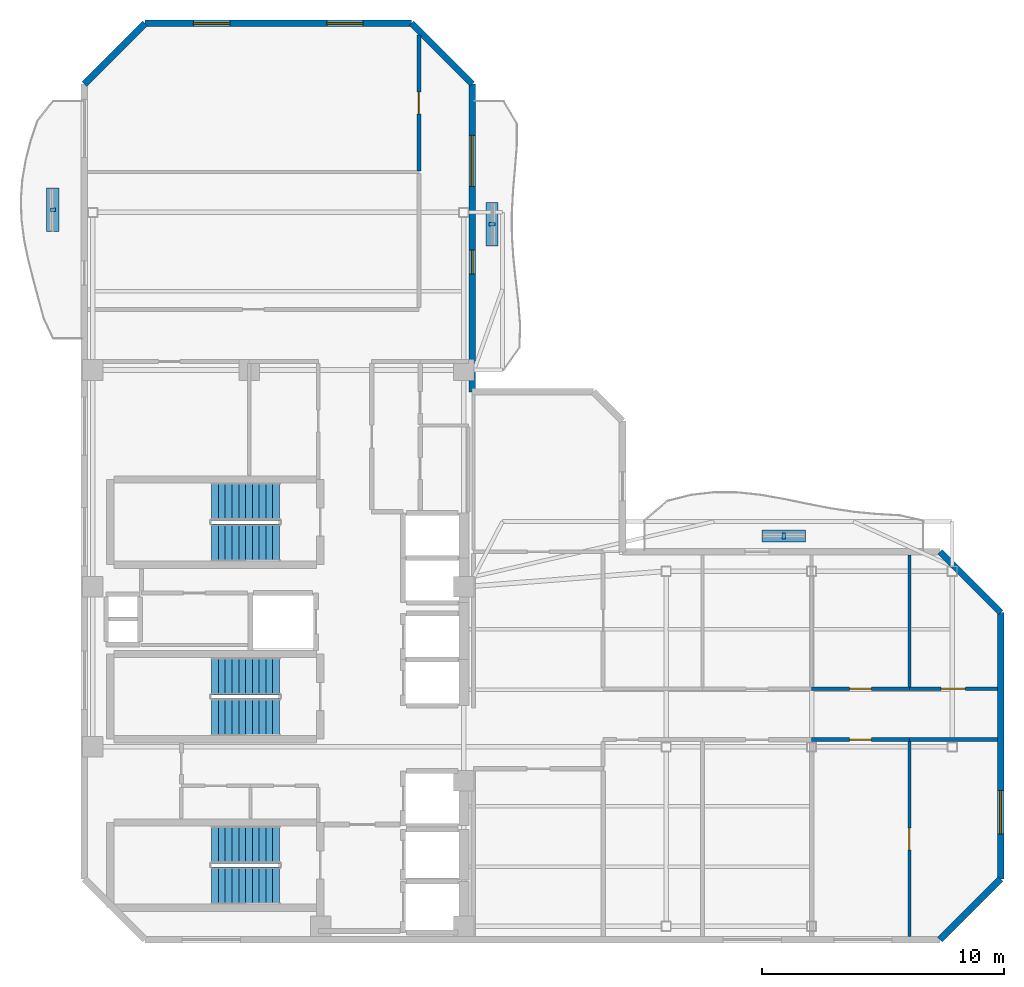
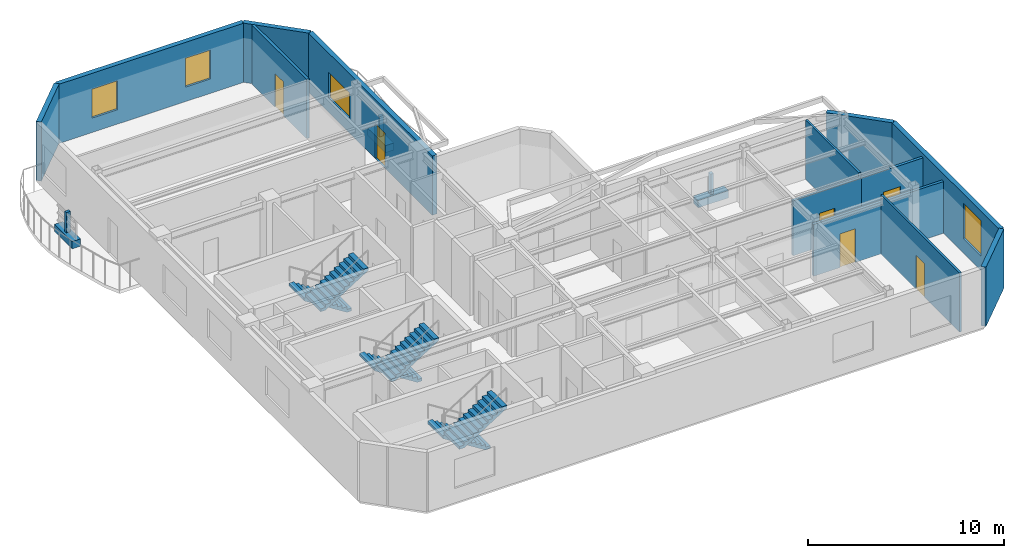
# One storey, part 5 of 7: 14 walls, 6 discrete accessories, 6 doors, 6 stair flights, 4 windows, 10 openings, 3 elements without a shape of their own.
"""IFC4 building model written with IfcOpenShell, lengths in metres."""

from ifc_helpers import new_model, si_unit, direction, frame, frame_2d, origin, origin_2d, place, context, subcontext, project, spatial, polyline, rectangle, outline, extrude, material, layer, layer_set, type_object, element, fill, aggregate, save


model = new_model("IFC4")

# Units and contexts
model_context = context("Model", 3, precision=1e-05, world=origin(), true_north=direction((0.0, 1.0)))
body_context = subcontext(model_context, "Body", "Model", "MODEL_VIEW")
ifc_project = project(units=[si_unit("LENGTHUNIT", "METRE"), si_unit("AREAUNIT", "SQUARE_METRE"), si_unit("VOLUMEUNIT", "CUBIC_METRE"), si_unit("PLANEANGLEUNIT", "RADIAN"), si_unit("MASSUNIT", "GRAM", prefix="KILO")], contexts=[model_context])

# Site, building, storey
site_placement = place(None, origin())
site = spatial("IfcSite", under=ifc_project, at=site_placement, CompositionType="ELEMENT")
building_placement = place(site_placement, origin())
building = spatial("IfcBuilding", under=site, at=building_placement, Name="Mawjaban Terraces University", CompositionType="ELEMENT")
storey_placement = place(building_placement, frame((0.0, 0.0, 275.5)))
storey = spatial("IfcBuildingStorey", under=building, at=storey_placement, Name="L67", CompositionType="ELEMENT", Elevation=275.5)

# Wall, opening, door
ifc_material_1 = material(Name="Fire-rated gypsum board on steel stud", Category="steel")
ifc_layer_1 = layer(ifc_material_1, 0.159912109375)
ifc_layer_set_1 = layer_set([ifc_layer_1], Name="Fire-rated gypsum board on steel stud")
wall_type_1 = type_object("IfcWallType", Name="CorridorPartition_160", PredefinedType="PARTITIONING", material=ifc_layer_set_1)
wall_1_placement = place(storey_placement, frame((52.0, 8.25, 0.0), z_axis=(0.0, 0.0, 1.0), x_axis=(1.0, 0.0, 0.0)))
wall_1 = element("IfcWall", 1, at=wall_1_placement, inside=storey, type_object=wall_type_1, Name="L67 Upper East Research Corridor Partition 20", PredefinedType="PARTITIONING", context=body_context, shape_type="SweptSolid", body=[
    extrude(rectangle(XDim=4.030029296875, YDim=0.159912109375, at=frame_2d((2.01513671875, 0.0))), origin(), (0.0, 0.0, 1.0), 3.22705078125),
])
opening_1_placement = place(wall_1_placement, frame((1.56494140625, 0.0, 0.0)))
opening_1 = element("IfcOpeningElement", 2, at=opening_1_placement, cuts=wall_1, Name="Opening ID-090", PredefinedType="OPENING", context=body_context, shape_type="SweptSolid", body=[
    extrude(rectangle(XDim=0.89990234375, YDim=2.10009765625, at=frame_2d((0.449951171875, 1.050048828125))), frame((0.0, 0.08984375, 0.0), z_axis=(0.0, -1.0, 0.0), x_axis=(1.0, 0.0, 0.0)), (0.0, 0.0, 1.0), 0.179931640625),
])
ifc_material_2 = material(Name="Powder-coated steel frame and solid acoustic timber leaf", Category="steel")
door_type_1 = type_object("IfcDoorType", Name="OfficeDoor_900x2100", OperationType="NOTDEFINED", PredefinedType="DOOR", material=ifc_material_2)
door_1_placement = place(opening_1_placement, origin())
door_1 = element("IfcDoor", 3, at=door_1_placement, inside=storey, type_object=door_type_1, Name="L67 Reading Salon 6 Door", OperationType="SINGLE_SWING_LEFT", OverallHeight=2.10009765625, OverallWidth=0.89990234375, PredefinedType="DOOR", context=body_context, shape_type="SweptSolid", body=[
    extrude(rectangle(XDim=0.89990234375, YDim=2.10009765625, at=frame_2d((0.449951171875, 1.050048828125))), frame((0.0, 0.02490234375, 0.0), z_axis=(0.0, -1.0, 0.0), x_axis=(1.0, 0.0, 0.0)), (0.0, 0.0, 1.0), 0.050048828125),
])
fill(opening_1, door_1)

# Wall
wall_2_placement = place(storey_placement, frame((56.030029296875, 8.25, 0.0), z_axis=(0.0, 0.0, 1.0), x_axis=(1.0, 0.0, 0.0)))
element("IfcWall", 4, at=wall_2_placement, inside=storey, type_object=wall_type_1, Name="L67 Upper East Research Corridor Partition 22", PredefinedType="PARTITIONING", context=body_context, shape_type="SweptSolid", body=[
    extrude(rectangle(XDim=3.636962890625, YDim=0.159912109375, at=frame_2d((1.818359375, 0.0))), origin(), (0.0, 0.0, 1.0), 3.22705078125),
])

# Wall, opening, door
wall_3_placement = place(storey_placement, frame((56.030029296875, 10.35009765625, 0.0), z_axis=(0.0, 0.0, 1.0), x_axis=(-1.0, 0.0, 0.0)))
wall_3 = element("IfcWall", 5, at=wall_3_placement, inside=storey, type_object=wall_type_1, Name="L67 Upper East Research Corridor Partition 23", PredefinedType="PARTITIONING", context=body_context, shape_type="SweptSolid", body=[
    extrude(rectangle(XDim=4.030029296875, YDim=0.159912109375, at=frame_2d((2.01513671875, 0.0))), origin(), (0.0, 0.0, 1.0), 3.424072265625),
])
opening_2_placement = place(wall_3_placement, frame((1.56494140625, 0.0, 0.0)))
opening_2 = element("IfcOpeningElement", 6, at=opening_2_placement, cuts=wall_3, Name="Opening ID-090", PredefinedType="OPENING", context=body_context, shape_type="SweptSolid", body=[
    extrude(rectangle(XDim=0.89990234375, YDim=2.10009765625, at=frame_2d((0.449951171875, 1.050048828125))), frame((0.0, 0.08984375, 0.0), z_axis=(0.0, -1.0, 0.0), x_axis=(1.0, 0.0, 0.0)), (0.0, 0.0, 1.0), 0.179931640625),
])
door_2_placement = place(opening_2_placement, origin())
door_2 = element("IfcDoor", 7, at=door_2_placement, inside=storey, type_object=door_type_1, Name="L67 Academic Counseling Room 7 Door", OperationType="SINGLE_SWING_RIGHT", OverallHeight=2.10009765625, OverallWidth=0.89990234375, PredefinedType="DOOR", context=body_context, shape_type="SweptSolid", body=[
    extrude(rectangle(XDim=0.89990234375, YDim=2.10009765625, at=frame_2d((0.449951171875, 1.050048828125))), frame((0.0, 0.02490234375, 0.0), z_axis=(0.0, -1.0, 0.0), x_axis=(1.0, 0.0, 0.0)), (0.0, 0.0, 1.0), 0.050048828125),
])
fill(opening_2, door_2)

wall_4_placement = place(storey_placement, frame((59.6669921875, 10.35009765625, 0.0), z_axis=(0.0, 0.0, 1.0), x_axis=(-1.0, 0.0, 0.0)))
wall_4 = element("IfcWall", 8, at=wall_4_placement, inside=storey, type_object=wall_type_1, Name="L67 Upper East Research Corridor Partition 24", PredefinedType="PARTITIONING", context=body_context, shape_type="SweptSolid", body=[
    extrude(rectangle(XDim=3.636962890625, YDim=0.159912109375, at=frame_2d((1.818359375, 0.0))), origin(), (0.0, 0.0, 1.0), 3.424072265625),
])
opening_3_placement = place(wall_4_placement, frame((1.319091796875, 0.0, 0.0)))
opening_3 = element("IfcOpeningElement", 9, at=opening_3_placement, cuts=wall_4, Name="Opening ID-100", PredefinedType="OPENING", context=body_context, shape_type="SweptSolid", body=[
    extrude(rectangle(XDim=1.0, YDim=2.10009765625, at=frame_2d((0.5, 1.050048828125))), frame((0.0, 0.08984375, 0.0), z_axis=(0.0, -1.0, 0.0), x_axis=(1.0, 0.0, 0.0)), (0.0, 0.0, 1.0), 0.179931640625),
])
door_type_2 = type_object("IfcDoorType", Name="ClassroomDoor_1000x2100", OperationType="NOTDEFINED", PredefinedType="DOOR", material=ifc_material_2)
door_3_placement = place(opening_3_placement, origin())
door_3 = element("IfcDoor", 10, at=door_3_placement, inside=storey, type_object=door_type_2, Name="L67 Classroom 9 Door", OperationType="SINGLE_SWING_RIGHT", OverallHeight=2.10009765625, OverallWidth=1.0, PredefinedType="DOOR", context=body_context, shape_type="SweptSolid", body=[
    extrude(rectangle(XDim=1.0, YDim=2.10009765625, at=frame_2d((0.5, 1.050048828125))), frame((0.0, 0.02490234375, 0.0), z_axis=(0.0, -1.0, 0.0), x_axis=(1.0, 0.0, 0.0)), (0.0, 0.0, 1.0), 0.050048828125),
])
fill(opening_3, door_3)

wall_5_placement = place(storey_placement, frame((35.800048828125, 37.31298828125, 0.0), z_axis=(0.0, 0.0, 1.0), x_axis=(0.0, -1.0, 0.0)))
wall_5 = element("IfcWall", 11, at=wall_5_placement, inside=storey, type_object=wall_type_1, Name="L67 Upper North Research Gallery Partition 34", PredefinedType="PARTITIONING", context=body_context, shape_type="SweptSolid", body=[
    extrude(rectangle(XDim=5.594970703125, YDim=0.159912109375, at=frame_2d((2.79736328125, 0.0))), origin(), (0.0, 0.0, 1.0), 3.68994140625),
])
opening_4_placement = place(wall_5_placement, frame((2.347900390625, 0.0, 0.0)))
opening_4 = element("IfcOpeningElement", 12, at=opening_4_placement, cuts=wall_5, Name="Opening ID-090", PredefinedType="OPENING", context=body_context, shape_type="SweptSolid", body=[
    extrude(rectangle(XDim=0.89990234375, YDim=2.10009765625, at=frame_2d((0.449951171875, 1.050048828125))), frame((0.0, 0.08984375, 0.0), z_axis=(0.0, -1.0, 0.0), x_axis=(1.0, 0.0, 0.0)), (0.0, 0.0, 1.0), 0.179931640625),
])
door_4_placement = place(opening_4_placement, origin())
door_4 = element("IfcDoor", 13, at=door_4_placement, inside=storey, type_object=door_type_1, Name="L67 Faculty Office 11 Door", OperationType="SINGLE_SWING_RIGHT", OverallHeight=2.10009765625, OverallWidth=0.89990234375, PredefinedType="DOOR", context=body_context, shape_type="SweptSolid", body=[
    extrude(rectangle(XDim=0.89990234375, YDim=2.10009765625, at=frame_2d((0.449951171875, 1.050048828125))), frame((0.0, 0.02490234375, 0.0), z_axis=(0.0, -1.0, 0.0), x_axis=(1.0, 0.0, 0.0)), (0.0, 0.0, 1.0), 0.050048828125),
])
fill(opening_4, door_4)

# Wall
ifc_material_3 = material(Name="Insulated terracotta rainscreen on concrete backup C40/50", Category="masonry")
ifc_layer_2 = layer(ifc_material_3, 0.27490234375)
ifc_layer_set_2 = layer_set([ifc_layer_2], Name="Insulated terracotta rainscreen on concrete backup C40/50")
wall_type_2 = type_object("IfcWallType", Name="ExtTerracottaWall_275", PredefinedType="SOLIDWALL", material=ifc_layer_set_2)
wall_6_placement = place(storey_placement, frame((57.300048828125, 0.0, 0.0), z_axis=(0.0, 0.0, 1.0), x_axis=(0.707106781187, 0.707106781187, 0.0)))
element("IfcWall", 14, at=wall_6_placement, inside=storey, type_object=wall_type_2, Name="L67 Exterior Terracotta Wall 2", PredefinedType="SOLIDWALL", context=body_context, shape_type="SweptSolid", body=[
    extrude(rectangle(XDim=3.53564453125, YDim=0.27490234375, at=frame_2d((1.767822265625, 0.0))), origin(), (0.0, 0.0, 1.0), 3.68994140625),
])

# Wall, opening, window
wall_7_placement = place(storey_placement, frame((59.800048828125, 2.5, 0.0), z_axis=(0.0, 0.0, 1.0), x_axis=(0.0, 1.0, 0.0)))
wall_7 = element("IfcWall", 15, at=wall_7_placement, inside=storey, type_object=wall_type_2, Name="L67 Exterior Terracotta Wall 3", PredefinedType="SOLIDWALL", context=body_context, shape_type="SweptSolid", body=[
    extrude(rectangle(XDim=11.0, YDim=0.27490234375, at=frame_2d((5.5, 0.0))), origin(), (0.0, 0.0, 1.0), 3.68994140625),
])
opening_5_placement = place(wall_7_placement, frame((1.85009765625, 0.0, 0.89990234375)))
opening_5 = element("IfcOpeningElement", 16, at=opening_5_placement, cuts=wall_7, Name="Opening W-10", PredefinedType="OPENING", context=body_context, shape_type="SweptSolid", body=[
    extrude(rectangle(XDim=1.800048828125, YDim=2.199951171875, at=frame_2d((0.89990234375, 1.10009765625))), frame((0.0, 0.1474609375, 0.0), z_axis=(0.0, -1.0, 0.0), x_axis=(1.0, 0.0, 0.0)), (0.0, 0.0, 1.0), 0.294921875),
])
ifc_material_4 = material(Name="Low-E solar-control double glazing in thermally broken aluminium frame", Category="aluminium")
window_type_1 = type_object("IfcWindowType", Name="Win_1800x2200", PartitioningType="SINGLE_PANEL", PredefinedType="WINDOW", material=ifc_material_4)
window_1_placement = place(opening_5_placement, origin())
window_1 = element("IfcWindow", 17, at=window_1_placement, inside=storey, type_object=window_type_1, Name="L67 Facade Window 3.1", OverallHeight=2.199951171875, OverallWidth=1.800048828125, PartitioningType="SINGLE_PANEL", PredefinedType="WINDOW", context=body_context, shape_type="SweptSolid", body=[
    extrude(rectangle(XDim=1.800048828125, YDim=2.199951171875, at=frame_2d((0.89990234375, 1.10009765625))), frame((0.0, 0.030029296875, 0.0), z_axis=(0.0, -1.0, 0.0), x_axis=(1.0, 0.0, 0.0)), (0.0, 0.0, 1.0), 0.06005859375),
])
fill(opening_5, window_1)

# Wall
wall_8_placement = place(storey_placement, frame((59.800048828125, 13.5, 0.0), z_axis=(0.0, 0.0, 1.0), x_axis=(-0.707106781187, 0.707106781187, 0.0)))
element("IfcWall", 18, at=wall_8_placement, inside=storey, type_object=wall_type_2, Name="L67 Exterior Terracotta Wall 4", PredefinedType="SOLIDWALL", context=body_context, shape_type="SweptSolid", body=[
    extrude(rectangle(XDim=3.53564453125, YDim=0.27490234375, at=frame_2d((1.767822265625, 0.0))), origin(), (0.0, 0.0, 1.0), 3.68994140625),
])

# Wall, openings, door, window
wall_9_placement = place(storey_placement, frame((38.0, 22.60009765625, 0.0), z_axis=(0.0, 0.0, 1.0), x_axis=(0.0, 1.0, 0.0)))
wall_9 = element("IfcWall", 19, at=wall_9_placement, inside=storey, type_object=wall_type_2, Name="L67 Exterior Terracotta Wall 9", PredefinedType="SOLIDWALL", context=body_context, shape_type="SweptSolid", body=[
    extrude(rectangle(XDim=12.699951171875, YDim=0.27490234375, at=frame_2d((6.35009765625, 0.0))), origin(), (0.0, 0.0, 1.0), 3.68994140625),
])
opening_6_placement = place(wall_9_placement, frame((4.85009765625, 0.0, 0.0)))
opening_6 = element("IfcOpeningElement", 20, at=opening_6_placement, cuts=wall_9, Name="Opening BD-100", PredefinedType="OPENING", context=body_context, shape_type="SweptSolid", body=[
    extrude(rectangle(XDim=1.0, YDim=2.199951171875, at=frame_2d((0.5, 1.10009765625))), frame((0.0, 0.1474609375, 0.0), z_axis=(0.0, -1.0, 0.0), x_axis=(1.0, 0.0, 0.0)), (0.0, 0.0, 1.0), 0.294921875),
])
opening_7_placement = place(wall_9_placement, frame((8.47509765625, 0.0, 0.89990234375)))
opening_7 = element("IfcOpeningElement", 21, at=opening_7_placement, cuts=wall_9, Name="Opening W-04", PredefinedType="OPENING", context=body_context, shape_type="SweptSolid", body=[
    extrude(rectangle(XDim=2.10009765625, YDim=1.60009765625, at=frame_2d((1.050048828125, 0.800048828125))), frame((0.0, 0.1474609375, 0.0), z_axis=(0.0, -1.0, 0.0), x_axis=(1.0, 0.0, 0.0)), (0.0, 0.0, 1.0), 0.294921875),
])
ifc_material_5 = material(Name="Thermally broken anodised aluminium and laminated safety glass", Category="aluminium")
door_type_3 = type_object("IfcDoorType", Name="BalconyGlazedDoor_1000x2200", OperationType="NOTDEFINED", PredefinedType="DOOR", material=ifc_material_5)
door_5_placement = place(opening_6_placement, origin())
door_5 = element("IfcDoor", 22, at=door_5_placement, inside=storey, type_object=door_type_3, Name="L67 Balcony Access Door inner_east", OperationType="SINGLE_SWING_RIGHT", OverallHeight=2.199951171875, OverallWidth=1.0, PredefinedType="DOOR", context=body_context, shape_type="SweptSolid", body=[
    extrude(rectangle(XDim=1.0, YDim=2.199951171875, at=frame_2d((0.5, 1.10009765625))), frame((0.0, 0.02490234375, 0.0), z_axis=(0.0, -1.0, 0.0), x_axis=(1.0, 0.0, 0.0)), (0.0, 0.0, 1.0), 0.050048828125),
])
fill(opening_6, door_5)
window_type_2 = type_object("IfcWindowType", Name="Win_2100x1600", PartitioningType="SINGLE_PANEL", PredefinedType="WINDOW", material=ifc_material_4)
window_2_placement = place(opening_7_placement, origin())
window_2 = element("IfcWindow", 23, at=window_2_placement, inside=storey, type_object=window_type_2, Name="L67 Facade Window 9.2", OverallHeight=1.60009765625, OverallWidth=2.10009765625, PartitioningType="SINGLE_PANEL", PredefinedType="WINDOW", context=body_context, shape_type="SweptSolid", body=[
    extrude(rectangle(XDim=2.10009765625, YDim=1.60009765625, at=frame_2d((1.050048828125, 0.800048828125))), frame((0.0, 0.030029296875, 0.0), z_axis=(0.0, -1.0, 0.0), x_axis=(1.0, 0.0, 0.0)), (0.0, 0.0, 1.0), 0.06005859375),
])
fill(opening_7, window_2)

# Wall
wall_10_placement = place(storey_placement, frame((38.0, 35.300048828125, 0.0), z_axis=(0.0, 0.0, 1.0), x_axis=(-0.707106781187, 0.707106781187, 0.0)))
element("IfcWall", 24, at=wall_10_placement, inside=storey, type_object=wall_type_2, Name="L67 Exterior Terracotta Wall 10", PredefinedType="SOLIDWALL", context=body_context, shape_type="SweptSolid", body=[
    extrude(rectangle(XDim=3.53564453125, YDim=0.27490234375, at=frame_2d((1.767822265625, 0.0))), origin(), (0.0, 0.0, 1.0), 3.68994140625),
])

# Wall, openings, windows
wall_11_placement = place(storey_placement, frame((35.5, 37.800048828125, 0.0), z_axis=(0.0, 0.0, 1.0), x_axis=(-1.0, 0.0, 0.0)))
wall_11 = element("IfcWall", 25, at=wall_11_placement, inside=storey, type_object=wall_type_2, Name="L67 Exterior Terracotta Wall 11", PredefinedType="SOLIDWALL", context=body_context, shape_type="SweptSolid", body=[
    extrude(rectangle(XDim=11.0, YDim=0.27490234375, at=frame_2d((5.5, 0.0))), origin(), (0.0, 0.0, 1.0), 3.68994140625),
])
opening_8_placement = place(wall_11_placement, frame((2.0, 0.0, 0.89990234375)))
opening_8 = element("IfcOpeningElement", 26, at=opening_8_placement, cuts=wall_11, Name="Opening W-06", PredefinedType="OPENING", context=body_context, shape_type="SweptSolid", body=[
    extrude(rectangle(XDim=1.5, YDim=1.800048828125, at=frame_2d((0.75, 0.89990234375))), frame((0.0, 0.1474609375, 0.0), z_axis=(0.0, -1.0, 0.0), x_axis=(1.0, 0.0, 0.0)), (0.0, 0.0, 1.0), 0.294921875),
])
opening_9_placement = place(wall_11_placement, frame((7.5, 0.0, 0.89990234375)))
opening_9 = element("IfcOpeningElement", 27, at=opening_9_placement, cuts=wall_11, Name="Opening W-06", PredefinedType="OPENING", context=body_context, shape_type="SweptSolid", body=[
    extrude(rectangle(XDim=1.5, YDim=1.800048828125, at=frame_2d((0.75, 0.89990234375))), frame((0.0, 0.1474609375, 0.0), z_axis=(0.0, -1.0, 0.0), x_axis=(1.0, 0.0, 0.0)), (0.0, 0.0, 1.0), 0.294921875),
])
window_type_3 = type_object("IfcWindowType", Name="Win_1500x1800", PartitioningType="SINGLE_PANEL", PredefinedType="WINDOW", material=ifc_material_4)
window_3_placement = place(opening_8_placement, origin())
window_3 = element("IfcWindow", 28, at=window_3_placement, inside=storey, type_object=window_type_3, Name="L67 Facade Window 11.1", OverallHeight=1.800048828125, OverallWidth=1.5, PartitioningType="SINGLE_PANEL", PredefinedType="WINDOW", context=body_context, shape_type="SweptSolid", body=[
    extrude(rectangle(XDim=1.5, YDim=1.800048828125, at=frame_2d((0.75, 0.89990234375))), frame((0.0, 0.030029296875, 0.0), z_axis=(0.0, -1.0, 0.0), x_axis=(1.0, 0.0, 0.0)), (0.0, 0.0, 1.0), 0.06005859375),
])
fill(opening_8, window_3)
window_4_placement = place(opening_9_placement, origin())
window_4 = element("IfcWindow", 29, at=window_4_placement, inside=storey, type_object=window_type_3, Name="L67 Facade Window 11.2", OverallHeight=1.800048828125, OverallWidth=1.5, PartitioningType="SINGLE_PANEL", PredefinedType="WINDOW", context=body_context, shape_type="SweptSolid", body=[
    extrude(rectangle(XDim=1.5, YDim=1.800048828125, at=frame_2d((0.75, 0.89990234375))), frame((0.0, 0.030029296875, 0.0), z_axis=(0.0, -1.0, 0.0), x_axis=(1.0, 0.0, 0.0)), (0.0, 0.0, 1.0), 0.06005859375),
])
fill(opening_9, window_4)

# Wall
wall_12_placement = place(storey_placement, frame((24.5, 37.800048828125, 0.0), z_axis=(0.0, 0.0, 1.0), x_axis=(-0.707106781187, -0.707106781187, 0.0)))
element("IfcWall", 30, at=wall_12_placement, inside=storey, type_object=wall_type_2, Name="L67 Exterior Terracotta Wall 12", PredefinedType="SOLIDWALL", context=body_context, shape_type="SweptSolid", body=[
    extrude(rectangle(XDim=3.53564453125, YDim=0.27490234375, at=frame_2d((1.767822265625, 0.0))), origin(), (0.0, 0.0, 1.0), 3.68994140625),
])

# Wall, opening, door
ifc_material_6 = material(Name="Gypsum plasterboard on steel stud", Category="steel")
ifc_layer_3 = layer(ifc_material_6, 0.125)
ifc_layer_set_3 = layer_set([ifc_layer_3], Name="Gypsum plasterboard on steel stud")
wall_type_3 = type_object("IfcWallType", Name="OfficePartition_125", PredefinedType="PARTITIONING", material=ifc_layer_set_3)
wall_13_placement = place(storey_placement, frame((56.030029296875, 0.133056640625, 0.0), z_axis=(0.0, 0.0, 1.0), x_axis=(0.0, 1.0, 0.0)))
wall_13 = element("IfcWall", 31, at=wall_13_placement, inside=storey, type_object=wall_type_3, Name="L67 Reading Salon 6 Partition 48", PredefinedType="PARTITIONING", context=body_context, shape_type="SweptSolid", body=[
    extrude(rectangle(XDim=8.0419921875, YDim=0.125, at=frame_2d((4.02099609375, 0.0))), origin(), (0.0, 0.0, 1.0), 3.68994140625),
])
opening_10_placement = place(wall_13_placement, frame((3.571044921875, 0.0, 0.0)))
opening_10 = element("IfcOpeningElement", 32, at=opening_10_placement, cuts=wall_13, Name="Opening ID-090", PredefinedType="OPENING", context=body_context, shape_type="SweptSolid", body=[
    extrude(rectangle(XDim=0.89990234375, YDim=2.10009765625, at=frame_2d((0.449951171875, 1.050048828125))), frame((0.0, 0.072509765625, 0.0), z_axis=(0.0, -1.0, 0.0), x_axis=(1.0, 0.0, 0.0)), (0.0, 0.0, 1.0), 0.14501953125),
])
door_6_placement = place(opening_10_placement, origin())
door_6 = element("IfcDoor", 33, at=door_6_placement, inside=storey, type_object=door_type_1, Name="L67 Academic Counseling Room 8 Door", OperationType="SINGLE_SWING_LEFT", OverallHeight=2.10009765625, OverallWidth=0.89990234375, PredefinedType="DOOR", context=body_context, shape_type="SweptSolid", body=[
    extrude(rectangle(XDim=0.89990234375, YDim=2.10009765625, at=frame_2d((0.449951171875, 1.050048828125))), frame((0.0, 0.02490234375, 0.0), z_axis=(0.0, -1.0, 0.0), x_axis=(1.0, 0.0, 0.0)), (0.0, 0.0, 1.0), 0.050048828125),
])
fill(opening_10, door_6)

# Wall
wall_14_placement = place(storey_placement, frame((56.030029296875, 10.425048828125, 0.0), z_axis=(0.0, 0.0, 1.0), x_axis=(0.0, 1.0, 0.0)))
element("IfcWall", 34, at=wall_14_placement, inside=storey, type_object=wall_type_3, Name="L67 Academic Counseling Room 7 Partition 49", PredefinedType="PARTITIONING", context=body_context, shape_type="SweptSolid", body=[
    extrude(rectangle(XDim=5.44189453125, YDim=0.125, at=frame_2d((2.720947265625, 0.0))), origin(), (0.0, 0.0, 1.0), 3.68994140625),
])

# Stair, stair flights
ifc_material_7 = material(Name="Concrete C40/50", Category="concrete")
stair_type = type_object("IfcStairType", Name="Stair_Core1550_H39", PredefinedType="HALF_TURN_STAIR", material=ifc_material_7)
stair_1_placement = place(storey_placement, origin())
stair_1 = element("IfcStair", 35, at=stair_1_placement, inside=storey, type_object=stair_type, Name="L67 Core Exit Stair 1", PredefinedType="HALF_TURN_STAIR")
stair_flight_type = type_object("IfcStairFlightType", Name="Flight_Core1550_H39", PredefinedType="STRAIGHT", material=ifc_material_7)
stair_flight_1_placement = place(storey_placement, frame((30.050048828125, 3.925048828125, 0.0), z_axis=(0.0, 0.0, 1.0), x_axis=(-1.0, 0.0, 0.0)))
stair_flight_1 = element("IfcStairFlight", 36, at=stair_flight_1_placement, type_object=stair_flight_type, Name="ST-1 flight 1", NumberOfRisers=11, NumberOfTreads=10, PredefinedType="STRAIGHT", RiserHeight=0.177272727, TreadLength=0.28, context=body_context, shape_type="SweptSolid", body=[
    extrude(outline(polyline([(0.0, 0.0), (0.0, 0.17724609375), (0.280029296875, 0.17724609375), (0.280029296875, 0.3544921875), (0.56005859375, 0.3544921875), (0.56005859375, 0.53173828125), (0.840087890625, 0.53173828125), (0.840087890625, 0.708984375), (1.1201171875, 0.708984375), (1.1201171875, 0.886474609375), (1.39990234375, 0.886474609375), (1.39990234375, 1.063720703125), (1.679931640625, 1.063720703125), (1.679931640625, 1.240966796875), (1.9599609375, 1.240966796875), (1.9599609375, 1.418212890625), (2.239990234375, 1.418212890625), (2.239990234375, 1.595458984375), (2.52001953125, 1.595458984375), (2.52001953125, 1.772705078125), (2.800048828125, 1.772705078125), (2.800048828125, 1.949951171875), (2.800048828125, 1.59521484375), (0.2802734375, 0.0), (0.0, 0.0)])), frame((0.0, 0.77490234375, 0.0), z_axis=(0.0, -1.0, 0.0), x_axis=(1.0, 0.0, 0.0)), (0.0, 0.0, 1.0), 1.550048828125),
])
stair_flight_2_placement = place(storey_placement, frame((27.25, 2.22509765625, 1.949951171875), z_axis=(0.0, 0.0, 1.0), x_axis=(1.0, 0.0, 0.0)))
stair_flight_2 = element("IfcStairFlight", 37, at=stair_flight_2_placement, type_object=stair_flight_type, Name="ST-1 flight 2", NumberOfRisers=11, NumberOfTreads=10, PredefinedType="STRAIGHT", RiserHeight=0.177272727, TreadLength=0.28, context=body_context, shape_type="SweptSolid", body=[
    extrude(outline(polyline([(0.0, 0.0), (0.0, 0.17724609375), (0.280029296875, 0.17724609375), (0.280029296875, 0.3544921875), (0.56005859375, 0.3544921875), (0.56005859375, 0.53173828125), (0.840087890625, 0.53173828125), (0.840087890625, 0.708984375), (1.1201171875, 0.708984375), (1.1201171875, 0.886474609375), (1.39990234375, 0.886474609375), (1.39990234375, 1.063720703125), (1.679931640625, 1.063720703125), (1.679931640625, 1.240966796875), (1.9599609375, 1.240966796875), (1.9599609375, 1.418212890625), (2.239990234375, 1.418212890625), (2.239990234375, 1.595458984375), (2.52001953125, 1.595458984375), (2.52001953125, 1.772705078125), (2.800048828125, 1.772705078125), (2.800048828125, 1.949951171875), (2.800048828125, 1.59521484375), (0.2802734375, 0.0), (0.0, 0.0)])), frame((0.0, 0.77490234375, 0.0), z_axis=(0.0, -1.0, 0.0), x_axis=(1.0, 0.0, 0.0)), (0.0, 0.0, 1.0), 1.550048828125),
])
aggregate(stair_1, [stair_flight_1, stair_flight_2])

stair_2_placement = place(storey_placement, origin())
stair_2 = element("IfcStair", 38, at=stair_2_placement, inside=storey, type_object=stair_type, Name="L67 Core Exit Stair 2", PredefinedType="HALF_TURN_STAIR")
stair_flight_3_placement = place(storey_placement, frame((30.050048828125, 18.074951171875, 0.0), z_axis=(0.0, 0.0, 1.0), x_axis=(-1.0, 0.0, 0.0)))
stair_flight_3 = element("IfcStairFlight", 39, at=stair_flight_3_placement, type_object=stair_flight_type, Name="ST-2 flight 1", NumberOfRisers=11, NumberOfTreads=10, PredefinedType="STRAIGHT", RiserHeight=0.177272727, TreadLength=0.28, context=body_context, shape_type="SweptSolid", body=[
    extrude(outline(polyline([(0.0, 0.0), (0.0, 0.17724609375), (0.280029296875, 0.17724609375), (0.280029296875, 0.3544921875), (0.56005859375, 0.3544921875), (0.56005859375, 0.53173828125), (0.840087890625, 0.53173828125), (0.840087890625, 0.708984375), (1.1201171875, 0.708984375), (1.1201171875, 0.886474609375), (1.39990234375, 0.886474609375), (1.39990234375, 1.063720703125), (1.679931640625, 1.063720703125), (1.679931640625, 1.240966796875), (1.9599609375, 1.240966796875), (1.9599609375, 1.418212890625), (2.239990234375, 1.418212890625), (2.239990234375, 1.595458984375), (2.52001953125, 1.595458984375), (2.52001953125, 1.772705078125), (2.800048828125, 1.772705078125), (2.800048828125, 1.949951171875), (2.800048828125, 1.59521484375), (0.2802734375, 0.0), (0.0, 0.0)])), frame((0.0, 0.77490234375, 0.0), z_axis=(0.0, -1.0, 0.0), x_axis=(1.0, 0.0, 0.0)), (0.0, 0.0, 1.0), 1.550048828125),
])
stair_flight_4_placement = place(storey_placement, frame((27.25, 16.375, 1.949951171875), z_axis=(0.0, 0.0, 1.0), x_axis=(1.0, 0.0, 0.0)))
stair_flight_4 = element("IfcStairFlight", 40, at=stair_flight_4_placement, type_object=stair_flight_type, Name="ST-2 flight 2", NumberOfRisers=11, NumberOfTreads=10, PredefinedType="STRAIGHT", RiserHeight=0.177272727, TreadLength=0.28, context=body_context, shape_type="SweptSolid", body=[
    extrude(outline(polyline([(0.0, 0.0), (0.0, 0.17724609375), (0.280029296875, 0.17724609375), (0.280029296875, 0.3544921875), (0.56005859375, 0.3544921875), (0.56005859375, 0.53173828125), (0.840087890625, 0.53173828125), (0.840087890625, 0.708984375), (1.1201171875, 0.708984375), (1.1201171875, 0.886474609375), (1.39990234375, 0.886474609375), (1.39990234375, 1.063720703125), (1.679931640625, 1.063720703125), (1.679931640625, 1.240966796875), (1.9599609375, 1.240966796875), (1.9599609375, 1.418212890625), (2.239990234375, 1.418212890625), (2.239990234375, 1.595458984375), (2.52001953125, 1.595458984375), (2.52001953125, 1.772705078125), (2.800048828125, 1.772705078125), (2.800048828125, 1.949951171875), (2.800048828125, 1.59521484375), (0.2802734375, 0.0), (0.0, 0.0)])), frame((0.0, 0.77490234375, 0.0), z_axis=(0.0, -1.0, 0.0), x_axis=(1.0, 0.0, 0.0)), (0.0, 0.0, 1.0), 1.550048828125),
])
aggregate(stair_2, [stair_flight_3, stair_flight_4])

stair_3_placement = place(storey_placement, origin())
stair_3 = element("IfcStair", 41, at=stair_3_placement, inside=storey, type_object=stair_type, Name="L67 Core Exit Stair 3", PredefinedType="HALF_TURN_STAIR")
stair_flight_5_placement = place(storey_placement, frame((30.050048828125, 10.875, 0.0), z_axis=(0.0, 0.0, 1.0), x_axis=(-1.0, 0.0, 0.0)))
stair_flight_5 = element("IfcStairFlight", 42, at=stair_flight_5_placement, type_object=stair_flight_type, Name="ST-3 flight 1", NumberOfRisers=11, NumberOfTreads=10, PredefinedType="STRAIGHT", RiserHeight=0.177272727, TreadLength=0.28, context=body_context, shape_type="SweptSolid", body=[
    extrude(outline(polyline([(0.0, 0.0), (0.0, 0.17724609375), (0.280029296875, 0.17724609375), (0.280029296875, 0.3544921875), (0.56005859375, 0.3544921875), (0.56005859375, 0.53173828125), (0.840087890625, 0.53173828125), (0.840087890625, 0.708984375), (1.1201171875, 0.708984375), (1.1201171875, 0.886474609375), (1.39990234375, 0.886474609375), (1.39990234375, 1.063720703125), (1.679931640625, 1.063720703125), (1.679931640625, 1.240966796875), (1.9599609375, 1.240966796875), (1.9599609375, 1.418212890625), (2.239990234375, 1.418212890625), (2.239990234375, 1.595458984375), (2.52001953125, 1.595458984375), (2.52001953125, 1.772705078125), (2.800048828125, 1.772705078125), (2.800048828125, 1.949951171875), (2.800048828125, 1.59521484375), (0.2802734375, 0.0), (0.0, 0.0)])), frame((0.0, 0.77490234375, 0.0), z_axis=(0.0, -1.0, 0.0), x_axis=(1.0, 0.0, 0.0)), (0.0, 0.0, 1.0), 1.550048828125),
])
stair_flight_6_placement = place(storey_placement, frame((27.25, 9.175048828125, 1.949951171875), z_axis=(0.0, 0.0, 1.0), x_axis=(1.0, 0.0, 0.0)))
stair_flight_6 = element("IfcStairFlight", 43, at=stair_flight_6_placement, type_object=stair_flight_type, Name="ST-3 flight 2", NumberOfRisers=11, NumberOfTreads=10, PredefinedType="STRAIGHT", RiserHeight=0.177272727, TreadLength=0.28, context=body_context, shape_type="SweptSolid", body=[
    extrude(outline(polyline([(0.0, 0.0), (0.0, 0.17724609375), (0.280029296875, 0.17724609375), (0.280029296875, 0.3544921875), (0.56005859375, 0.3544921875), (0.56005859375, 0.53173828125), (0.840087890625, 0.53173828125), (0.840087890625, 0.708984375), (1.1201171875, 0.708984375), (1.1201171875, 0.886474609375), (1.39990234375, 0.886474609375), (1.39990234375, 1.063720703125), (1.679931640625, 1.063720703125), (1.679931640625, 1.240966796875), (1.9599609375, 1.240966796875), (1.9599609375, 1.418212890625), (2.239990234375, 1.418212890625), (2.239990234375, 1.595458984375), (2.52001953125, 1.595458984375), (2.52001953125, 1.772705078125), (2.800048828125, 1.772705078125), (2.800048828125, 1.949951171875), (2.800048828125, 1.59521484375), (0.2802734375, 0.0), (0.0, 0.0)])), frame((0.0, 0.77490234375, 0.0), z_axis=(0.0, -1.0, 0.0), x_axis=(1.0, 0.0, 0.0)), (0.0, 0.0, 1.0), 1.550048828125),
])
aggregate(stair_3, [stair_flight_5, stair_flight_6])

# Discrete accessories
ifc_material_8 = material(Name="Stainless steel 316L", Category="steel")
discrete_accessory_type_1 = type_object("IfcDiscreteAccessoryType", Name="FacadeScreenBracket_Steel", PredefinedType="BRACKET", material=ifc_material_8)
for number, where, z_axis, x_axis, name in (
    (44, (20.697021484375, 30.10791015625, 0.419921875), (0.0, 0.0, 1.0), (0.0, 1.0, 0.0), "L67 Balcony Screen Support Bracket west"),
    (45, (50.85009765625, 16.64501953125, 0.419921875), (0.0, 0.0, 1.0), (1.0, 0.0, 0.0), "L67 Balcony Screen Support Bracket inner_north"),
    (46, (38.81689453125, 29.512939453125, 0.419921875), (0.0, 0.0, 1.0), (0.0, 1.0, 0.0), "L67 Balcony Screen Support Bracket inner_east"),
):
    element("IfcDiscreteAccessory", number, at=place(storey_placement, frame(where, z_axis=z_axis, x_axis=x_axis)), inside=storey, type_object=discrete_accessory_type_1, Name=name, PredefinedType="BRACKET", context=body_context, shape_type="SweptSolid", body=[
        extrude(rectangle(XDim=0.159912109375, YDim=0.239990234375, at=origin_2d()), origin(), (0.0, 0.0, 1.0), 1.300048828125),
    ])
ifc_material_9 = material(Name="Precast architectural terracotta planter with engineered planting soil", Category="masonry")
discrete_accessory_type_2 = type_object("IfcDiscreteAccessoryType", Name="IrrigatedPlanterTrough_450", PredefinedType="USERDEFINED", material=ifc_material_9)
for number, where, z_axis, x_axis, name in (
    (47, (20.697021484375, 30.10791015625, -0.0048828125), (0.0, 0.0, 1.0), (0.0, 1.0, 0.0), "L67 Balcony Irrigated Planter west"),
    (48, (50.85009765625, 16.64501953125, -0.0048828125), (0.0, 0.0, 1.0), (1.0, 0.0, 0.0), "L67 Balcony Irrigated Planter inner_north"),
    (49, (38.81689453125, 29.512939453125, -0.0048828125), (0.0, 0.0, 1.0), (0.0, 1.0, 0.0), "L67 Balcony Irrigated Planter inner_east"),
):
    element("IfcDiscreteAccessory", number, at=place(storey_placement, frame(where, z_axis=z_axis, x_axis=x_axis)), inside=storey, type_object=discrete_accessory_type_2, Name=name, ObjectType="PLANTER", PredefinedType="USERDEFINED", context=body_context, shape_type="SweptSolid", body=[
        extrude(rectangle(XDim=1.800048828125, YDim=0.5, at=origin_2d()), origin(), (0.0, 0.0, 1.0), 0.449951171875),
    ])

save(model, "model.ifc")
